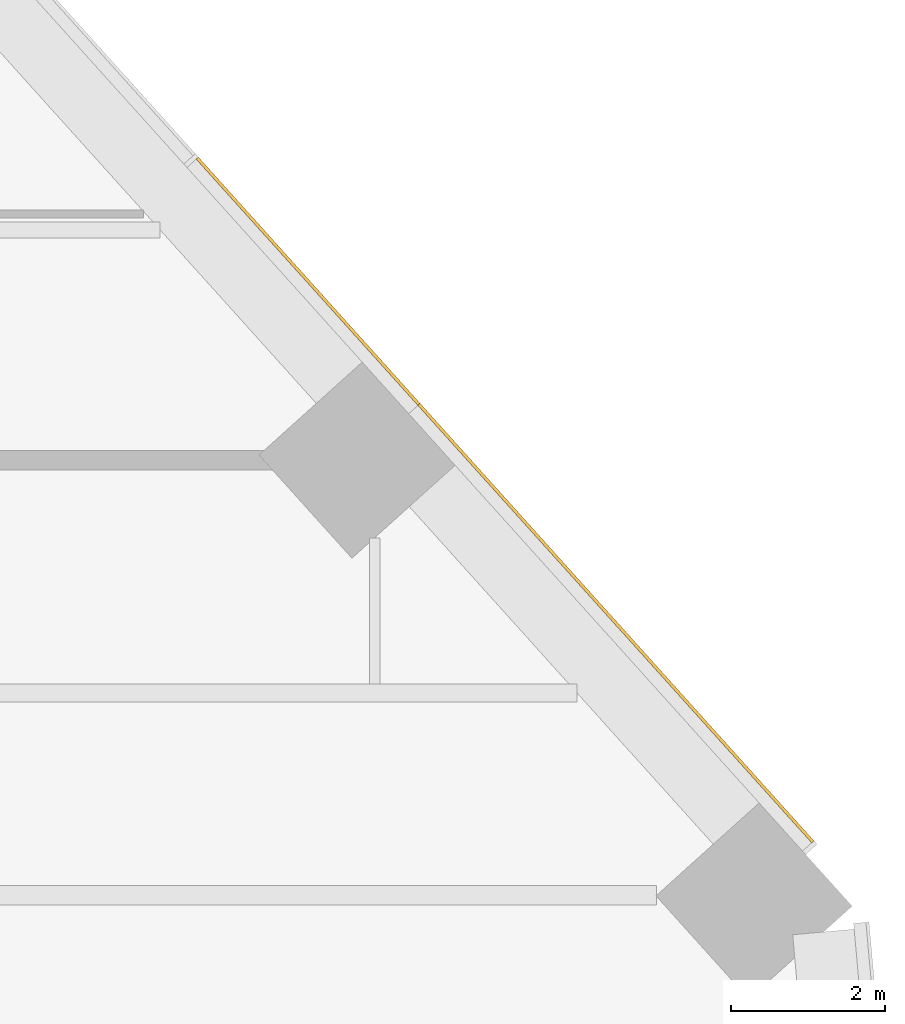
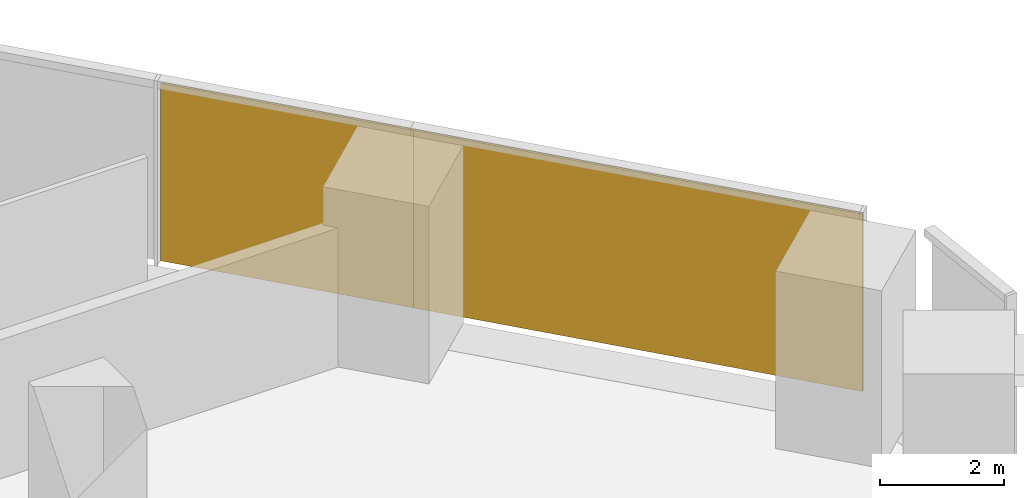
# One storey, part 21 of 21: 2 coverings, 1 element without a shape of its own.
"""IFC4 building model written with IfcOpenShell, lengths in metres."""

from ifc_helpers import new_model, si_unit, direction, frame, origin, origin_2d, place, context, subcontext, project, spatial, rectangle, extrude, material, layer, layer_set, type_object, element, aggregate, save


model = new_model("IFC4")

# Units and contexts
model_context = context("Model", 3, precision=1e-05, world=origin(), true_north=direction((0.0, 1.0)))
body_context = subcontext(model_context, "Body", "Model", "MODEL_VIEW")
ifc_project = project(units=[si_unit("LENGTHUNIT", "METRE"), si_unit("AREAUNIT", "SQUARE_METRE"), si_unit("VOLUMEUNIT", "CUBIC_METRE"), si_unit("PLANEANGLEUNIT", "RADIAN"), si_unit("MASSUNIT", "GRAM", prefix="KILO")], contexts=[model_context])

# Site, building, storey
site_placement = place(None, origin())
site = spatial("IfcSite", under=ifc_project, at=site_placement, CompositionType="ELEMENT")
building_placement = place(site_placement, origin())
building = spatial("IfcBuilding", under=site, at=building_placement, Name="Isthmus Gate Tower", CompositionType="ELEMENT")
storey_placement = place(building_placement, frame((0.0, 0.0, 50.60009765625)))
storey = spatial("IfcBuildingStorey", under=building, at=storey_placement, Name="L10", CompositionType="ELEMENT", Elevation=50.60009765625)

# Curtain wall, coverings
ifc_material_1 = material(Name="Aluminium, pale champagne anodised", Category="aluminium")
ifc_layer_1 = layer(ifc_material_1, 0.199951171875)
ifc_layer_set_1 = layer_set([ifc_layer_1], Name="CW-1 UNITISED CURTAIN WALL 200 DEEP")
curtain_wall_type = type_object("IfcCurtainWallType", Name="CW-1 UNITISED CURTAIN WALL 200 DEEP", PredefinedType="NOTDEFINED", material=ifc_layer_set_1)
curtain_wall_placement = place(storey_placement, origin())
curtain_wall = element("IfcCurtainWall", 1, at=curtain_wall_placement, inside=storey, type_object=curtain_wall_type, Name="CW-1 NE L10", PredefinedType="NOTDEFINED")
ifc_material_2 = material(Name="Aluminium composite panel, pale champagne anodised", Category="aluminium")
ifc_layer_2 = layer(ifc_material_2, 0.0400390625)
ifc_layer_set_2 = layer_set([ifc_layer_2], Name="CW-1 PALE METAL PANEL 40")
covering_type = type_object("IfcCoveringType", Name="CW-1 PALE METAL PANEL 40", PredefinedType="CLADDING", material=ifc_layer_set_2)
covering_1_placement = place(storey_placement, frame((34.79345703125, 8.405029296875, 0.0), z_axis=(0.0, 0.0, 1.0), x_axis=(-0.669130606359, 0.743144825477, 0.0)))
covering_1 = element("IfcCovering", 2, at=covering_1_placement, type_object=covering_type, Name="CW-1 pale metal panel", PredefinedType="CLADDING", context=body_context, shape_type="SweptSolid", body=[
    extrude(rectangle(XDim=7.62939453125, YDim=0.0400390625, at=origin_2d()), origin(), (0.0, 0.0, 1.0), 3.5),
])
covering_2_placement = place(storey_placement, frame((30.80419921875, 12.835693359375, 0.0), z_axis=(0.0, 0.0, 1.0), x_axis=(-0.669130606359, 0.743144825477, 0.0)))
covering_2 = element("IfcCovering", 3, at=covering_2_placement, type_object=covering_type, Name="CW-1 pale metal panel", PredefinedType="CLADDING", context=body_context, shape_type="SweptSolid", body=[
    extrude(rectangle(XDim=4.294677734375, YDim=0.0400390625, at=origin_2d()), origin(), (0.0, 0.0, 1.0), 3.5),
])
aggregate(curtain_wall, [covering_1, covering_2])

save(model, "model.ifc")
